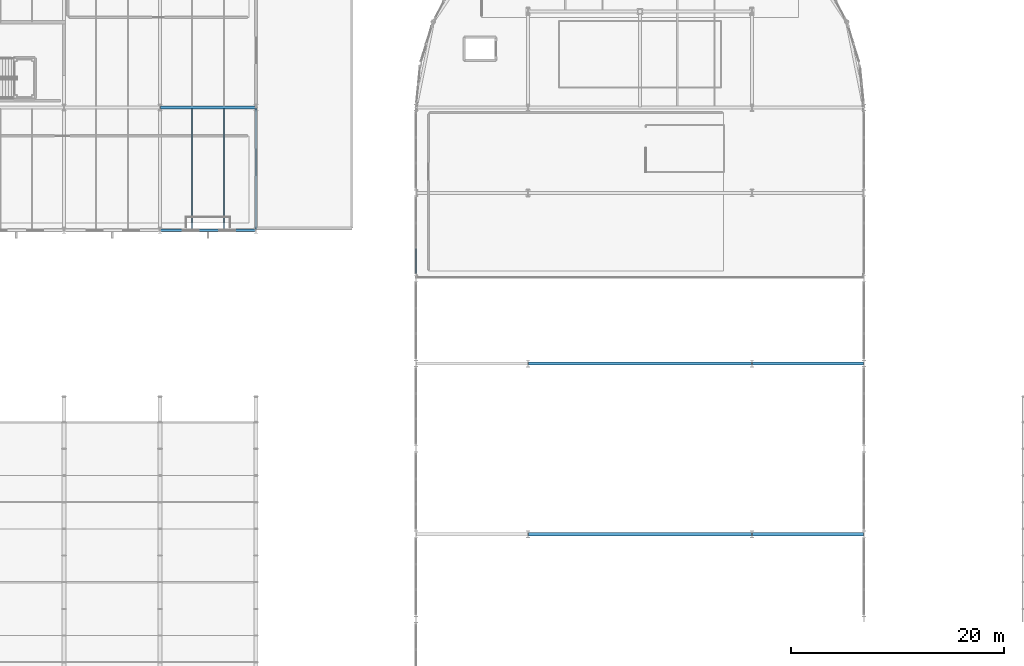
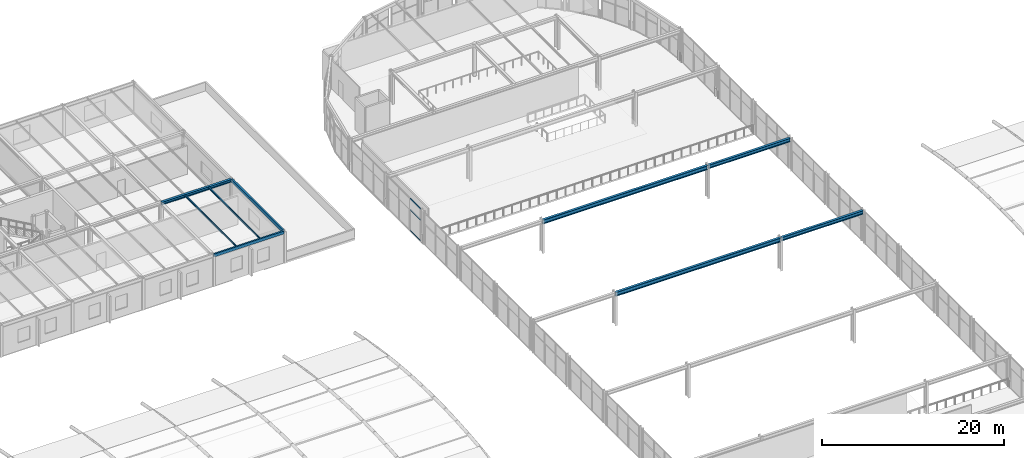
# One storey, part 31 of 105: 9 beams, 3 members, 1 element without a shape of its own.
"""IFC4 building model written with IfcOpenShell, lengths in metres."""

from ifc_helpers import new_model, si_unit, direction, frame, origin, origin_2d, place, context, subcontext, project, spatial, hollow_rectangle, i_section, extrude, material, layer, layer_set, material_profile, profile_set, type_object, element, aggregate, save


model = new_model("IFC4")

# Units and contexts
model_context = context("Model", 3, precision=1e-05, world=origin(), true_north=direction((0.0, 1.0)))
body_context = subcontext(model_context, "Body", "Model", "MODEL_VIEW")
ifc_project = project(units=[si_unit("LENGTHUNIT", "METRE"), si_unit("AREAUNIT", "SQUARE_METRE"), si_unit("VOLUMEUNIT", "CUBIC_METRE"), si_unit("PLANEANGLEUNIT", "RADIAN"), si_unit("MASSUNIT", "GRAM", prefix="KILO")], contexts=[model_context])

# Site, building, storey
site_placement = place(None, origin())
site = spatial("IfcSite", under=ifc_project, at=site_placement, CompositionType="ELEMENT")
building_placement = place(site_placement, origin())
building = spatial("IfcBuilding", under=site, at=building_placement, Name="Marlcrest Central Station", CompositionType="ELEMENT")
storey_placement = place(building_placement, frame((0.0, 0.0, 15.0)))
storey = spatial("IfcBuildingStorey", under=building, at=storey_placement, Name="L03", CompositionType="ELEMENT", Elevation=15.0)

# Beams
ifc_material_1 = material(Name="Steel S355", Category="steel")
ifc_material_profile_1 = material_profile(ifc_material_1, i_section(OverallWidth=0.300048828125, OverallDepth=0.389892578125, WebThickness=0.010986328125, FlangeThickness=0.01904296875, FilletRadius=0.027099609375, at=origin_2d()), Name="HEA 400")
ifc_profile_set_1 = profile_set([ifc_material_profile_1], Name="Steel S355")
beam_type_1 = type_object("IfcBeamType", Name="BM-08", PredefinedType="BEAM", material=ifc_profile_set_1)
beam_1_placement = place(storey_placement, frame((63.050048828125, 110.5, 4.0400390625), z_axis=(1.0, 0.0, 0.0), x_axis=(0.0, 1.0, 0.0)))
element("IfcBeam", 1, at=beam_1_placement, inside=storey, type_object=beam_type_1, Name="bm-BM-08-L03-00483", PredefinedType="BEAM", context=body_context, shape_type="SweptSolid", body=[
    extrude(i_section(OverallWidth=0.300048828125, OverallDepth=0.389892578125, WebThickness=0.010986328125, FlangeThickness=0.01904296875, FilletRadius=0.027099609375, at=origin_2d()), origin(), (0.0, 0.0, 1.0), 8.89990234375),
])
ifc_material_profile_2 = material_profile(ifc_material_1, i_section(OverallWidth=0.300048828125, OverallDepth=0.489990234375, WebThickness=0.011962890625, FlangeThickness=0.02294921875, FilletRadius=0.027099609375, at=origin_2d()), Name="HEA 500")
ifc_profile_set_2 = profile_set([ifc_material_profile_2], Name="Steel S355")
beam_type_2 = type_object("IfcBeamType", Name="BM-10", PredefinedType="BEAM", material=ifc_profile_set_2)
for number, where, z_axis, x_axis, name in (
    (2, (118.550048828125, 70.5, 4.074951171875), (1.0, 0.0, 0.0), (0.0, 1.0, 0.0), "bm-BM-10-L03-01202"),
    (3, (118.550048828125, 86.5, 4.074951171875), (1.0, 0.0, 0.0), (0.0, 1.0, 0.0), "bm-BM-10-L03-01213"),
):
    element("IfcBeam", number, at=place(storey_placement, frame(where, z_axis=z_axis, x_axis=x_axis)), inside=storey, type_object=beam_type_2, Name=name, PredefinedType="BEAM", context=body_context, shape_type="SweptSolid", body=[
        extrude(i_section(OverallWidth=0.300048828125, OverallDepth=0.489990234375, WebThickness=0.011962890625, FlangeThickness=0.02294921875, FilletRadius=0.027099609375, at=origin_2d()), origin(), (0.0, 0.0, 1.0), 10.39990234375),
    ])
ifc_material_profile_3 = material_profile(ifc_material_1, i_section(OverallWidth=0.300048828125, OverallDepth=0.550048828125, WebThickness=0.014892578125, FlangeThickness=0.029052734375, FilletRadius=0.027099609375, at=origin_2d()), Name="HEB 550")
ifc_profile_set_3 = profile_set([ifc_material_profile_3], Name="Steel S355")
beam_type_3 = type_object("IfcBeamType", Name="BM-11", PredefinedType="BEAM", material=ifc_profile_set_3)
for number, where, z_axis, x_axis, name in (
    (4, (97.550048828125, 70.5, 4.044921875), (1.0, 0.0, 0.0), (0.0, 1.0, 0.0), "bm-BM-11-L03-01203"),
    (5, (97.550048828125, 86.5, 4.044921875), (1.0, 0.0, 0.0), (0.0, 1.0, 0.0), "bm-BM-11-L03-01214"),
):
    element("IfcBeam", number, at=place(storey_placement, frame(where, z_axis=z_axis, x_axis=x_axis)), inside=storey, type_object=beam_type_3, Name=name, PredefinedType="BEAM", context=body_context, shape_type="SweptSolid", body=[
        extrude(i_section(OverallWidth=0.300048828125, OverallDepth=0.550048828125, WebThickness=0.014892578125, FlangeThickness=0.029052734375, FilletRadius=0.027099609375, at=origin_2d()), origin(), (0.0, 0.0, 1.0), 20.89990234375),
    ])
ifc_material_profile_4 = material_profile(ifc_material_1, i_section(OverallWidth=0.110107421875, OverallDepth=0.219970703125, WebThickness=0.005859375, FlangeThickness=0.00927734375, FilletRadius=0.011962890625, at=origin_2d()), Name="IPE 220")
ifc_profile_set_4 = profile_set([ifc_material_profile_4], Name="Steel S355")
beam_type_4 = type_object("IfcBeamType", Name="JS-02", PredefinedType="JOIST", material=ifc_profile_set_4)
for number, where, z_axis, x_axis, name in (
    (6, (66.0, 99.094970703125, 4.125), (0.0, 1.0, 0.0), (-1.0, 0.0, 0.0), "bm-JS-02-L03-00569"),
    (7, (69.0, 99.094970703125, 4.125), (0.0, 1.0, 0.0), (-1.0, 0.0, 0.0), "bm-JS-02-L03-00572"),
):
    element("IfcBeam", number, at=place(storey_placement, frame(where, z_axis=z_axis, x_axis=x_axis)), inside=storey, type_object=beam_type_4, Name=name, PredefinedType="JOIST", context=body_context, shape_type="SweptSolid", body=[
        extrude(i_section(OverallWidth=0.110107421875, OverallDepth=0.219970703125, WebThickness=0.005859375, FlangeThickness=0.00927734375, FilletRadius=0.011962890625, at=origin_2d()), origin(), (0.0, 0.0, 1.0), 11.31005859375),
    ])
ifc_material_profile_5 = material_profile(ifc_material_1, hollow_rectangle(XDim=0.199951171875, YDim=0.39990234375, WallThickness=0.01611328125, at=origin_2d()), Name="RHS 400x200x16")
ifc_profile_set_5 = profile_set([ifc_material_profile_5], Name="Steel S355")
beam_type_5 = type_object("IfcBeamType", Name="SP-01", PredefinedType="SPANDREL", material=ifc_profile_set_5)
beam_2_placement = place(storey_placement, frame((63.050048828125, 99.0, 4.034912109375), z_axis=(1.0, 0.0, 0.0), x_axis=(0.0, 1.0, 0.0)))
element("IfcBeam", 8, at=beam_2_placement, inside=storey, type_object=beam_type_5, Name="bm-SP-01-L03-00475", PredefinedType="SPANDREL", context=body_context, shape_type="SweptSolid", body=[
    extrude(hollow_rectangle(XDim=0.199951171875, YDim=0.39990234375, WallThickness=0.01611328125, at=origin_2d()), origin(), (0.0, 0.0, 1.0), 8.89990234375),
])
beam_3_placement = place(storey_placement, frame((72.0, 99.050048828125, 4.034912109375), z_axis=(0.0, 1.0, 0.0), x_axis=(-1.0, 0.0, 0.0)))
element("IfcBeam", 9, at=beam_3_placement, inside=storey, type_object=beam_type_5, Name="bm-SP-01-L03-00524", PredefinedType="SPANDREL", context=body_context, shape_type="SweptSolid", body=[
    extrude(hollow_rectangle(XDim=0.199951171875, YDim=0.39990234375, WallThickness=0.01611328125, at=origin_2d()), origin(), (0.0, 0.0, 1.0), 11.39990234375),
])

# Curtain wall, members
ifc_material_2 = material(Name="Anodised aluminium and hurricane laminated glass", Category="aluminium")
ifc_layer = layer(ifc_material_2, 0.219970703125, Name="CW-U1")
ifc_layer_set = layer_set([ifc_layer], Name="Anodised aluminium and hurricane laminated glass")
curtain_wall_type = type_object("IfcCurtainWallType", Name="CW-U1", PredefinedType="USERDEFINED", material=ifc_layer_set)
curtain_wall_placement = place(storey_placement, origin())
curtain_wall = element("IfcCurtainWall", 10, at=curtain_wall_placement, inside=storey, type_object=curtain_wall_type, Name="cw-L03-0137", ObjectType="UNITISED_CURTAIN_WALL", PredefinedType="USERDEFINED")
ifc_material_3 = material(Name="Anodised aluminium 6063-T6", Category="aluminium")
ifc_material_profile_6 = material_profile(ifc_material_3, hollow_rectangle(XDim=0.06005859375, YDim=0.14990234375, WallThickness=0.00390625, at=origin_2d()), Name="AA-RHS 150x60x4")
ifc_profile_set_6 = profile_set([ifc_material_profile_6], Name="Anodised aluminium 6063-T6")
member_type = type_object("IfcMemberType", Name="TR-01", PredefinedType="USERDEFINED", material=ifc_profile_set_6)
member_1_placement = place(storey_placement, frame((87.0, 94.988037109375, 0.0400390625), z_axis=(0.0, 1.0, 0.0), x_axis=(-1.0, 0.0, 0.0)))
member_1 = element("IfcMember", 11, at=member_1_placement, type_object=member_type, Name="cw-L03-0137-tr-0-sill", ObjectType="TRANSOM", PredefinedType="USERDEFINED", context=body_context, shape_type="SweptSolid", body=[
    extrude(hollow_rectangle(XDim=0.06005859375, YDim=0.14990234375, WallThickness=0.00390625, at=origin_2d()), origin(), (0.0, 0.0, 1.0), 2.290771484375),
])
member_2_placement = place(storey_placement, frame((87.0, 94.988037109375, 2.827880859375), z_axis=(0.0, 1.0, 0.0), x_axis=(-1.0, 0.0, 0.0)))
member_2 = element("IfcMember", 12, at=member_2_placement, type_object=member_type, Name="cw-L03-0137-tr-0-mid", ObjectType="TRANSOM", PredefinedType="USERDEFINED", context=body_context, shape_type="SweptSolid", body=[
    extrude(hollow_rectangle(XDim=0.06005859375, YDim=0.14990234375, WallThickness=0.00390625, at=origin_2d()), origin(), (0.0, 0.0, 1.0), 2.290771484375),
])
member_3_placement = place(storey_placement, frame((87.0, 94.988037109375, 4.31005859375), z_axis=(0.0, 1.0, 0.0), x_axis=(-1.0, 0.0, 0.0)))
member_3 = element("IfcMember", 13, at=member_3_placement, type_object=member_type, Name="cw-L03-0137-tr-0-head", ObjectType="TRANSOM", PredefinedType="USERDEFINED", context=body_context, shape_type="SweptSolid", body=[
    extrude(hollow_rectangle(XDim=0.06005859375, YDim=0.14990234375, WallThickness=0.00390625, at=origin_2d()), origin(), (0.0, 0.0, 1.0), 2.290771484375),
])
aggregate(curtain_wall, [member_1, member_2, member_3])

save(model, "model.ifc")
